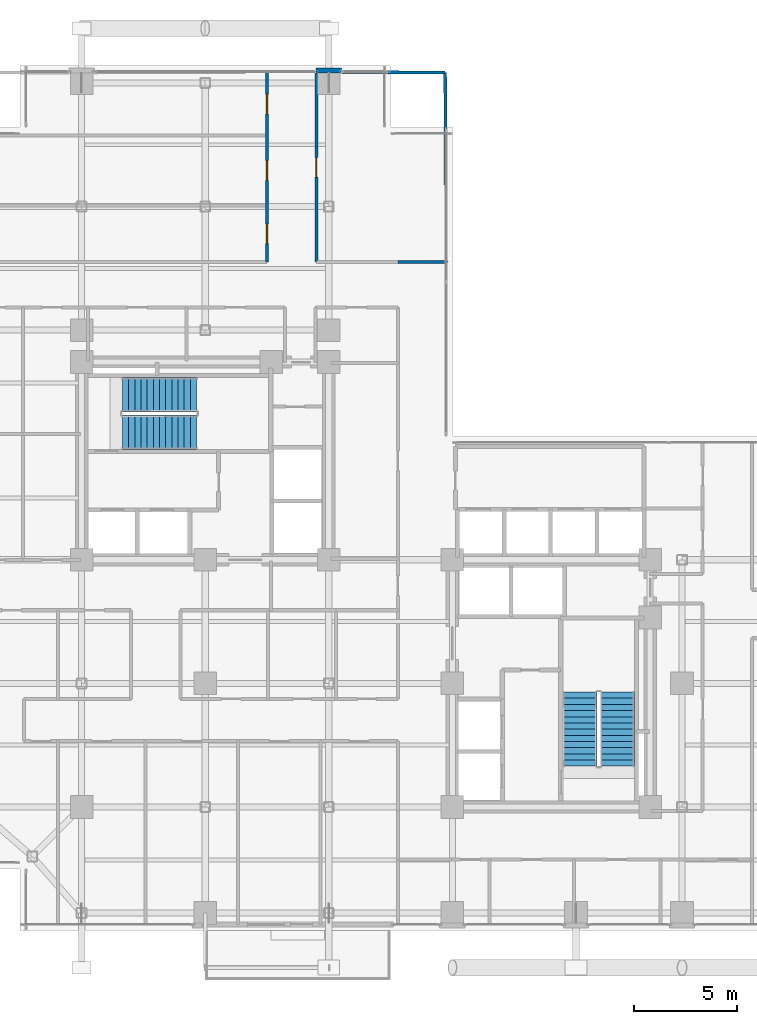
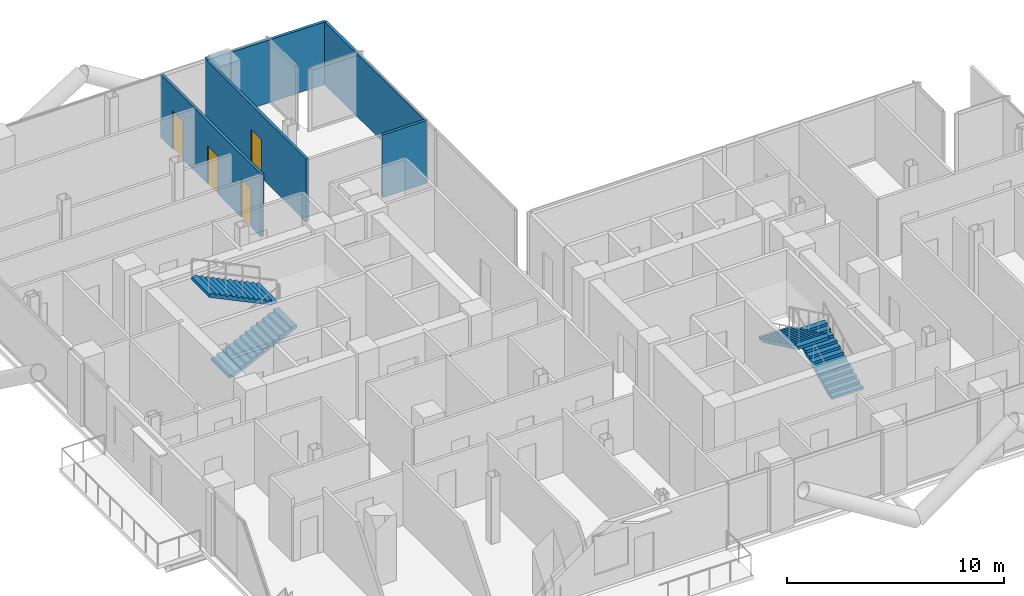
# One storey, part 22 of 24: 6 walls, 4 doors, 4 stair flights, 4 openings, 2 elements without a shape of their own.
"""IFC4 building model written with IfcOpenShell, lengths in metres."""

from ifc_helpers import new_model, si_unit, direction, frame, frame_2d, origin, place, context, subcontext, project, spatial, polyline, rectangle, outline, extrude, material, layer, layer_set, type_object, element, fill, aggregate, save


model = new_model("IFC4")

# Units and contexts
model_context = context("Model", 3, precision=1e-05, world=origin(), true_north=direction((0.0, 1.0)))
body_context = subcontext(model_context, "Body", "Model", "MODEL_VIEW")
ifc_project = project(units=[si_unit("LENGTHUNIT", "METRE"), si_unit("AREAUNIT", "SQUARE_METRE"), si_unit("VOLUMEUNIT", "CUBIC_METRE"), si_unit("PLANEANGLEUNIT", "RADIAN"), si_unit("MASSUNIT", "GRAM", prefix="KILO"), si_unit("THERMODYNAMICTEMPERATUREUNIT", "KELVIN"), si_unit("POWERUNIT", "WATT")], contexts=[model_context])

# Site, building, storey
site_placement = place(None, origin())
site = spatial("IfcSite", under=ifc_project, at=site_placement, CompositionType="ELEMENT")
building_placement = place(site_placement, origin())
building = spatial("IfcBuilding", under=site, at=building_placement, Name="Svarakhadi Broadcast Tower", CompositionType="ELEMENT")
storey_placement = place(building_placement, frame((0.0, 0.0, 156.89990234375)))
storey = spatial("IfcBuildingStorey", under=building, at=storey_placement, Name="L38", CompositionType="ELEMENT", Elevation=156.89990234375)

# Wall
ifc_material_1 = material(Name="Concrete C40/50 (IS 456 M50)", Category="concrete")
ifc_layer_1 = layer(ifc_material_1, 0.239990234375)
ifc_layer_set_1 = layer_set([ifc_layer_1], Name="Concrete C40/50 (IS 456 M50)")
wall_type_1 = type_object("IfcWallType", Name="Wall_Ext_240", PredefinedType="SOLIDWALL", material=ifc_layer_set_1)
wall_1_placement = place(storey_placement, frame((17.385009765625, 41.760009765625, 0.0), z_axis=(0.0, 0.0, 1.0), x_axis=(1.0, 0.0, 0.0)))
element("IfcWall", 1, at=wall_1_placement, inside=storey, type_object=wall_type_1, Name="L38 Perimeter Bronze Spandrel Closure Wall 05", PredefinedType="SOLIDWALL", context=body_context, shape_type="SweptSolid", body=[
    extrude(rectangle(XDim=1.22998046875, YDim=0.239990234375, at=frame_2d((0.614990234375, 0.0))), origin(), (0.0, 0.0, 1.0), 3.525146484375),
])

# Wall, openings, doors
ifc_material_2 = material(Name="Autoclaved Aerated Concrete Blockwork 150 mm", Category="masonry")
ifc_layer_2 = layer(ifc_material_2, 0.14990234375)
ifc_layer_set_2 = layer_set([ifc_layer_2], Name="Autoclaved Aerated Concrete Blockwork 150 mm")
wall_type_2 = type_object("IfcWallType", Name="Wall_Part_150", PredefinedType="PARTITIONING", material=ifc_layer_set_2)
wall_2_placement = place(storey_placement, frame((15.0, 32.449951171875, 0.0), z_axis=(0.0, 0.0, 1.0), x_axis=(0.0, 1.0, 0.0)))
wall_2 = element("IfcWall", 2, at=wall_2_placement, inside=storey, type_object=wall_type_2, Name="L38 Zone 2/3 Corridor Wall", PredefinedType="PARTITIONING", context=body_context, shape_type="SweptSolid", body=[
    extrude(rectangle(XDim=9.25, YDim=0.14990234375, at=frame_2d((4.625, 0.0))), origin(), (0.0, 0.0, 1.0), 3.525146484375),
])
opening_1_placement = place(wall_2_placement, frame((0.89990234375, 0.0, 0.0)))
opening_1 = element("IfcOpeningElement", 3, at=opening_1_placement, cuts=wall_2, Name="Opening D-07", PredefinedType="OPENING", context=body_context, shape_type="SweptSolid", body=[
    extrude(rectangle(XDim=0.949951171875, YDim=2.14990234375, at=frame_2d((0.47509765625, 1.074951171875))), frame((0.0, 0.0849609375, 0.0), z_axis=(0.0, -1.0, 0.0), x_axis=(1.0, 0.0, 0.0)), (0.0, 0.0, 1.0), 0.169921875),
])
opening_2_placement = place(wall_2_placement, frame((3.97509765625, 0.0, 0.0)))
opening_2 = element("IfcOpeningElement", 4, at=opening_2_placement, cuts=wall_2, Name="Opening D-06", PredefinedType="OPENING", context=body_context, shape_type="SweptSolid", body=[
    extrude(rectangle(XDim=0.949951171875, YDim=2.14990234375, at=frame_2d((0.47509765625, 1.074951171875))), frame((0.0, 0.0849609375, 0.0), z_axis=(0.0, -1.0, 0.0), x_axis=(1.0, 0.0, 0.0)), (0.0, 0.0, 1.0), 0.169921875),
])
opening_3_placement = place(wall_2_placement, frame((7.199951171875, 0.0, 0.0)))
opening_3 = element("IfcOpeningElement", 5, at=opening_3_placement, cuts=wall_2, Name="Opening D-07", PredefinedType="OPENING", context=body_context, shape_type="SweptSolid", body=[
    extrude(rectangle(XDim=0.949951171875, YDim=2.14990234375, at=frame_2d((0.47509765625, 1.074951171875))), frame((0.0, 0.0849609375, 0.0), z_axis=(0.0, -1.0, 0.0), x_axis=(1.0, 0.0, 0.0)), (0.0, 0.0, 1.0), 0.169921875),
])
ifc_material_3 = material(Name="Solid-Core Teak Veneer Acoustic Timber Leaf", Category="wood")
door_type_1 = type_object("IfcDoorType", Name="Door_Office_D06", OperationType="SINGLE_SWING_LEFT", PredefinedType="DOOR", material=ifc_material_3)
door_1_placement = place(opening_2_placement, origin())
door_1 = element("IfcDoor", 6, at=door_1_placement, inside=storey, type_object=door_type_1, Name="L38 Technical Production Office Door", OperationType="SINGLE_SWING_LEFT", OverallHeight=2.14990234375, OverallWidth=0.949951171875, PredefinedType="DOOR", context=body_context, shape_type="SweptSolid", body=[
    extrude(rectangle(XDim=0.949951171875, YDim=2.14990234375, at=frame_2d((0.47509765625, 1.074951171875))), frame((0.0, 0.02490234375, 0.0), z_axis=(0.0, -1.0, 0.0), x_axis=(1.0, 0.0, 0.0)), (0.0, 0.0, 1.0), 0.050048828125),
])
fill(opening_2, door_1)
door_type_2 = type_object("IfcDoorType", Name="Door_Office_D07", OperationType="SINGLE_SWING_RIGHT", PredefinedType="DOOR", material=ifc_material_3)
door_2_placement = place(opening_1_placement, origin())
door_2 = element("IfcDoor", 7, at=door_2_placement, inside=storey, type_object=door_type_2, Name="L38 Fact-Checking Seminar Room Door", OperationType="SINGLE_SWING_RIGHT", OverallHeight=2.14990234375, OverallWidth=0.949951171875, PredefinedType="DOOR", context=body_context, shape_type="SweptSolid", body=[
    extrude(rectangle(XDim=0.949951171875, YDim=2.14990234375, at=frame_2d((0.47509765625, 1.074951171875))), frame((0.0, 0.02490234375, 0.0), z_axis=(0.0, -1.0, 0.0), x_axis=(1.0, 0.0, 0.0)), (0.0, 0.0, 1.0), 0.050048828125),
])
fill(opening_1, door_2)
door_3_placement = place(opening_3_placement, origin())
door_3 = element("IfcDoor", 8, at=door_3_placement, inside=storey, type_object=door_type_2, Name="L38 News Verification Pod Door", OperationType="SINGLE_SWING_RIGHT", OverallHeight=2.14990234375, OverallWidth=0.949951171875, PredefinedType="DOOR", context=body_context, shape_type="SweptSolid", body=[
    extrude(rectangle(XDim=0.949951171875, YDim=2.14990234375, at=frame_2d((0.47509765625, 1.074951171875))), frame((0.0, 0.02490234375, 0.0), z_axis=(0.0, -1.0, 0.0), x_axis=(1.0, 0.0, 0.0)), (0.0, 0.0, 1.0), 0.050048828125),
])
fill(opening_3, door_3)

# Wall, opening, door
wall_3_placement = place(storey_placement, frame((17.39990234375, 41.699951171875, 0.0), z_axis=(0.0, 0.0, 1.0), x_axis=(0.0, -1.0, 0.0)))
wall_3 = element("IfcWall", 9, at=wall_3_placement, inside=storey, type_object=wall_type_2, Name="L38 Zone 2/3 Corridor Wall", PredefinedType="PARTITIONING", context=body_context, shape_type="SweptSolid", body=[
    extrude(rectangle(XDim=9.25, YDim=0.14990234375, at=frame_2d((4.625, 0.0))), origin(), (0.0, 0.0, 1.0), 3.525146484375),
])
opening_4_placement = place(wall_3_placement, frame((4.175048828125, 0.0, 0.0)))
opening_4 = element("IfcOpeningElement", 10, at=opening_4_placement, cuts=wall_3, Name="Opening D-06", PredefinedType="OPENING", context=body_context, shape_type="SweptSolid", body=[
    extrude(rectangle(XDim=0.949951171875, YDim=2.14990234375, at=frame_2d((0.47509765625, 1.074951171875))), frame((0.0, 0.0849609375, 0.0), z_axis=(0.0, -1.0, 0.0), x_axis=(1.0, 0.0, 0.0)), (0.0, 0.0, 1.0), 0.169921875),
])
door_4_placement = place(opening_4_placement, origin())
door_4 = element("IfcDoor", 11, at=door_4_placement, inside=storey, type_object=door_type_1, Name="L38 Executive Producer Office Door", OperationType="SINGLE_SWING_LEFT", OverallHeight=2.14990234375, OverallWidth=0.949951171875, PredefinedType="DOOR", context=body_context, shape_type="SweptSolid", body=[
    extrude(rectangle(XDim=0.949951171875, YDim=2.14990234375, at=frame_2d((0.47509765625, 1.074951171875))), frame((0.0, 0.02490234375, 0.0), z_axis=(0.0, -1.0, 0.0), x_axis=(1.0, 0.0, 0.0)), (0.0, 0.0, 1.0), 0.050048828125),
])
fill(opening_4, door_4)

# Walls
wall_4_placement = place(storey_placement, frame((21.35009765625, 32.449951171875, 0.0), z_axis=(0.0, 0.0, 1.0), x_axis=(1.0, 0.0, 0.0)))
element("IfcWall", 12, at=wall_4_placement, inside=storey, type_object=wall_type_2, Name="L38 Zone 2/3 Corridor Wall", PredefinedType="PARTITIONING", context=body_context, shape_type="SweptSolid", body=[
    extrude(rectangle(XDim=2.349853515625, YDim=0.14990234375, at=frame_2d((1.1748046875, 0.0))), origin(), (0.0, 0.0, 1.0), 3.525146484375),
])
wall_5_placement = place(storey_placement, frame((18.614990234375, 41.690185546875, 0.0), z_axis=(0.0, 0.0, 1.0), x_axis=(0.99996799533, -0.008000519771, 0.0)))
element("IfcWall", 13, at=wall_5_placement, inside=storey, type_object=wall_type_2, Name="L38 Executive Producer Office Wall", PredefinedType="PARTITIONING", context=body_context, shape_type="SweptSolid", body=[
    extrude(rectangle(XDim=5.03515625, YDim=0.14990234375, at=frame_2d((2.517578125, 0.0))), origin(), (0.0, 0.0, 1.0), 3.525146484375),
])
wall_6_placement = place(storey_placement, frame((23.699951171875, 32.449951171875, 0.0), z_axis=(0.0, 0.0, 1.0), x_axis=(-0.005440038388, 0.999985202882, 0.0)))
element("IfcWall", 14, at=wall_6_placement, inside=storey, type_object=wall_type_2, Name="L38 Executive Producer Office Wall", PredefinedType="PARTITIONING", context=body_context, shape_type="SweptSolid", body=[
    extrude(rectangle(XDim=9.2001953125, YDim=0.14990234375, at=frame_2d((4.60009765625, 0.0))), origin(), (0.0, 0.0, 1.0), 3.525146484375),
])

# Stair, stair flights
stair_type = type_object("IfcStairType", Name="Stair_Exit_Core", PredefinedType="HALF_TURN_STAIR", material=ifc_material_1)
stair_1_placement = place(storey_placement, origin())
stair_1 = element("IfcStair", 15, at=stair_1_placement, inside=storey, type_object=stair_type, Name="L38 West Core Protected Exit Stair ST-01", PredefinedType="HALF_TURN_STAIR")
stair_flight_type = type_object("IfcStairFlightType", Name="Flight_RC_1680", PredefinedType="STRAIGHT", material=ifc_material_1)
stair_flight_1_placement = place(storey_placement, frame((7.97998046875, 24.18994140625, 0.0), z_axis=(0.0, 0.0, 1.0), x_axis=(1.0, 0.0, 0.0)))
stair_flight_1 = element("IfcStairFlight", 16, at=stair_flight_1_placement, type_object=stair_flight_type, Name="ST-01 flight 1", NumberOfRisers=13, NumberOfTreads=12, PredefinedType="STRAIGHT", RiserHeight=0.144230769, TreadLength=0.3, context=body_context, shape_type="SweptSolid", body=[
    extrude(outline(polyline([(0.0, 0.0), (0.0, 0.144287109375), (0.300048828125, 0.144287109375), (0.300048828125, 0.28857421875), (0.60009765625, 0.28857421875), (0.60009765625, 0.4326171875), (0.89990234375, 0.4326171875), (0.89990234375, 0.576904296875), (1.199951171875, 0.576904296875), (1.199951171875, 0.72119140625), (1.5, 0.72119140625), (1.5, 0.865478515625), (1.800048828125, 0.865478515625), (1.800048828125, 1.009521484375), (2.10009765625, 1.009521484375), (2.10009765625, 1.15380859375), (2.39990234375, 1.15380859375), (2.39990234375, 1.298095703125), (2.699951171875, 1.298095703125), (2.699951171875, 1.4423828125), (3.0, 1.4423828125), (3.0, 1.58642578125), (3.300048828125, 1.58642578125), (3.300048828125, 1.730712890625), (3.60009765625, 1.730712890625), (3.60009765625, 1.875), (3.60009765625, 1.564453125), (0.345947265625, 0.0), (0.0, 0.0)])), frame((0.0, 0.830078125, 0.0), z_axis=(0.0, -1.0, 0.0), x_axis=(1.0, 0.0, 0.0)), (0.0, 0.0, 1.0), 1.659912109375),
])
stair_flight_2_placement = place(storey_placement, frame((11.580078125, 26.010009765625, 1.875), z_axis=(0.0, 0.0, 1.0), x_axis=(-1.0, 0.0, 0.0)))
stair_flight_2 = element("IfcStairFlight", 17, at=stair_flight_2_placement, type_object=stair_flight_type, Name="ST-01 flight 2", NumberOfRisers=13, NumberOfTreads=12, PredefinedType="STRAIGHT", RiserHeight=0.144230769, TreadLength=0.3, context=body_context, shape_type="SweptSolid", body=[
    extrude(outline(polyline([(0.0, 0.0), (0.0, 0.144287109375), (0.300048828125, 0.144287109375), (0.300048828125, 0.28857421875), (0.60009765625, 0.28857421875), (0.60009765625, 0.4326171875), (0.89990234375, 0.4326171875), (0.89990234375, 0.576904296875), (1.199951171875, 0.576904296875), (1.199951171875, 0.72119140625), (1.5, 0.72119140625), (1.5, 0.865478515625), (1.800048828125, 0.865478515625), (1.800048828125, 1.009521484375), (2.10009765625, 1.009521484375), (2.10009765625, 1.15380859375), (2.39990234375, 1.15380859375), (2.39990234375, 1.298095703125), (2.699951171875, 1.298095703125), (2.699951171875, 1.4423828125), (3.0, 1.4423828125), (3.0, 1.58642578125), (3.300048828125, 1.58642578125), (3.300048828125, 1.730712890625), (3.60009765625, 1.730712890625), (3.60009765625, 1.875), (3.60009765625, 1.564453125), (0.345947265625, 0.0), (0.0, 0.0)])), frame((0.0, 0.830078125, 0.0), z_axis=(0.0, -1.0, 0.0), x_axis=(1.0, 0.0, 0.0)), (0.0, 0.0, 1.0), 1.659912109375),
])
aggregate(stair_1, [stair_flight_1, stair_flight_2])

stair_2_placement = place(storey_placement, origin())
stair_2 = element("IfcStair", 18, at=stair_2_placement, inside=storey, type_object=stair_type, Name="L38 East Core Protected Exit Stair ST-02", PredefinedType="HALF_TURN_STAIR")
stair_flight_3_placement = place(storey_placement, frame((32.010009765625, 7.97998046875, 0.0), z_axis=(0.0, 0.0, 1.0), x_axis=(0.0, 1.0, 0.0)))
stair_flight_3 = element("IfcStairFlight", 19, at=stair_flight_3_placement, type_object=stair_flight_type, Name="ST-02 flight 1", NumberOfRisers=13, NumberOfTreads=12, PredefinedType="STRAIGHT", RiserHeight=0.144230769, TreadLength=0.3, context=body_context, shape_type="SweptSolid", body=[
    extrude(outline(polyline([(0.0, 0.0), (0.0, 0.144287109375), (0.300048828125, 0.144287109375), (0.300048828125, 0.28857421875), (0.60009765625, 0.28857421875), (0.60009765625, 0.4326171875), (0.89990234375, 0.4326171875), (0.89990234375, 0.576904296875), (1.199951171875, 0.576904296875), (1.199951171875, 0.72119140625), (1.5, 0.72119140625), (1.5, 0.865478515625), (1.800048828125, 0.865478515625), (1.800048828125, 1.009521484375), (2.10009765625, 1.009521484375), (2.10009765625, 1.15380859375), (2.39990234375, 1.15380859375), (2.39990234375, 1.298095703125), (2.699951171875, 1.298095703125), (2.699951171875, 1.4423828125), (3.0, 1.4423828125), (3.0, 1.58642578125), (3.300048828125, 1.58642578125), (3.300048828125, 1.730712890625), (3.60009765625, 1.730712890625), (3.60009765625, 1.875), (3.60009765625, 1.564453125), (0.345947265625, 0.0), (0.0, 0.0)])), frame((0.0, 0.830078125, 0.0), z_axis=(0.0, -1.0, 0.0), x_axis=(1.0, 0.0, 0.0)), (0.0, 0.0, 1.0), 1.659912109375),
])
stair_flight_4_placement = place(storey_placement, frame((30.18994140625, 11.580078125, 1.875), z_axis=(0.0, 0.0, 1.0), x_axis=(0.0, -1.0, 0.0)))
stair_flight_4 = element("IfcStairFlight", 20, at=stair_flight_4_placement, type_object=stair_flight_type, Name="ST-02 flight 2", NumberOfRisers=13, NumberOfTreads=12, PredefinedType="STRAIGHT", RiserHeight=0.144230769, TreadLength=0.3, context=body_context, shape_type="SweptSolid", body=[
    extrude(outline(polyline([(0.0, 0.0), (0.0, 0.144287109375), (0.300048828125, 0.144287109375), (0.300048828125, 0.28857421875), (0.60009765625, 0.28857421875), (0.60009765625, 0.4326171875), (0.89990234375, 0.4326171875), (0.89990234375, 0.576904296875), (1.199951171875, 0.576904296875), (1.199951171875, 0.72119140625), (1.5, 0.72119140625), (1.5, 0.865478515625), (1.800048828125, 0.865478515625), (1.800048828125, 1.009521484375), (2.10009765625, 1.009521484375), (2.10009765625, 1.15380859375), (2.39990234375, 1.15380859375), (2.39990234375, 1.298095703125), (2.699951171875, 1.298095703125), (2.699951171875, 1.4423828125), (3.0, 1.4423828125), (3.0, 1.58642578125), (3.300048828125, 1.58642578125), (3.300048828125, 1.730712890625), (3.60009765625, 1.730712890625), (3.60009765625, 1.875), (3.60009765625, 1.564453125), (0.345947265625, 0.0), (0.0, 0.0)])), frame((0.0, 0.830078125, 0.0), z_axis=(0.0, -1.0, 0.0), x_axis=(1.0, 0.0, 0.0)), (0.0, 0.0, 1.0), 1.659912109375),
])
aggregate(stair_2, [stair_flight_3, stair_flight_4])

save(model, "model.ifc")
